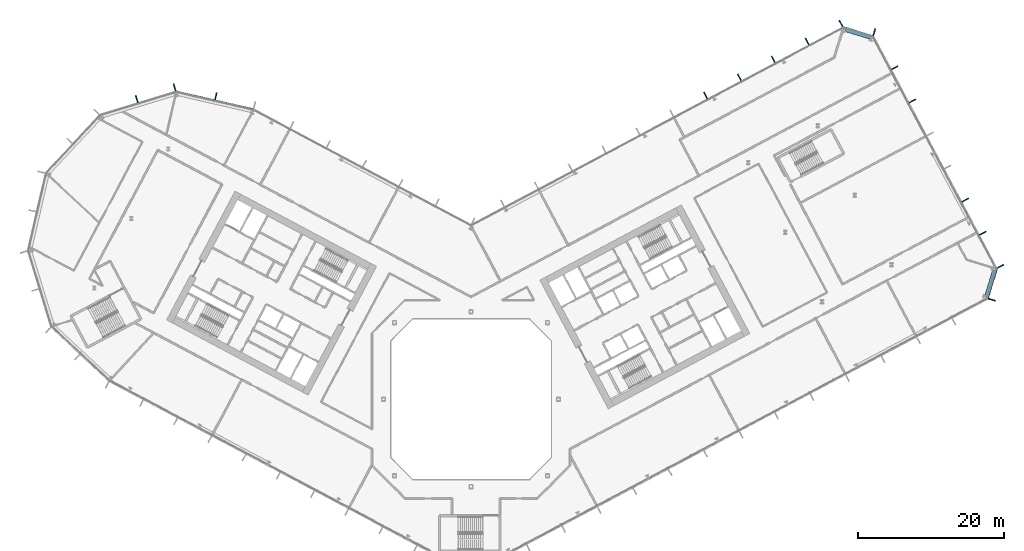
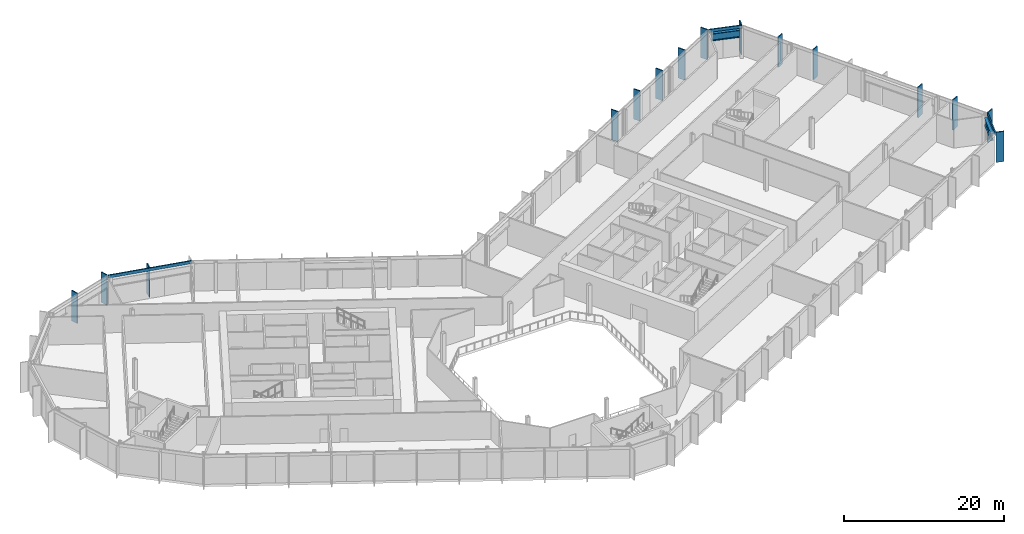
# One storey, part 9 of 32: 18 members, 2 beams, 6 elements without a shape of their own.
"""IFC4 building model written with IfcOpenShell, lengths in metres."""

from ifc_helpers import new_model, si_unit, direction, frame, origin, origin_2d, place, context, subcontext, project, spatial, rectangle, i_section, extrude, material, layer, layer_set, material_profile, profile_set, type_object, element, aggregate, save


model = new_model("IFC4")

# Units and contexts
model_context = context("Model", 3, precision=1e-05, world=origin(), true_north=direction((0.0, 1.0)))
body_context = subcontext(model_context, "Body", "Model", "MODEL_VIEW")
ifc_project = project(units=[si_unit("LENGTHUNIT", "METRE"), si_unit("AREAUNIT", "SQUARE_METRE"), si_unit("VOLUMEUNIT", "CUBIC_METRE"), si_unit("PLANEANGLEUNIT", "RADIAN"), si_unit("MASSUNIT", "GRAM", prefix="KILO")], contexts=[model_context])

# Site, building, storey
site_placement = place(None, origin())
site = spatial("IfcSite", under=ifc_project, at=site_placement, CompositionType="ELEMENT")
building_placement = place(site_placement, origin())
building = spatial("IfcBuilding", under=site, at=building_placement, Name="Cormorant Relay Tower", CompositionType="ELEMENT")
storey_placement = place(building_placement, frame((0.0, 0.0, 75.39990234375)))
storey = spatial("IfcBuildingStorey", under=building, at=storey_placement, Name="L14", CompositionType="ELEMENT", Elevation=75.39990234375)

# Curtain wall, member
ifc_material_1 = material(Name="Aluminium 6063-T6 anodised bronze", Category="aluminium")
ifc_layer = layer(ifc_material_1, 0.199951171875)
ifc_layer_set = layer_set([ifc_layer], Name="CW1 unitised bronze curtain wall with vertical fins")
curtain_wall_type = type_object("IfcCurtainWallType", Name="CW1 unitised bronze curtain wall with vertical fins", PredefinedType="NOTDEFINED", material=ifc_layer_set)
curtain_wall_1_placement = place(storey_placement, origin())
curtain_wall_1 = element("IfcCurtainWall", 1, at=curtain_wall_1_placement, inside=storey, type_object=curtain_wall_type, Name="CW1 curtain wall 3", PredefinedType="NOTDEFINED")
ifc_material_2 = material(Name="Aluminium 6063-T6 anodised bronze", Category="aluminium")
ifc_material_profile_1 = material_profile(ifc_material_2, rectangle(XDim=0.14990234375, YDim=1.0, at=origin_2d()), Name="AL 150x1000")
ifc_profile_set_1 = profile_set([ifc_material_profile_1], Name="Aluminium 6063-T6 anodised bronze")
member_type_1 = type_object("IfcMemberType", Name="CW1 bronze fin mullion 150 x 1000", PredefinedType="MULLION", material=ifc_profile_set_1)
member_1_placement = place(storey_placement, frame((71.45166015625, 13.64697265625, 0.0), z_axis=(0.0, 0.0, 1.0), x_axis=(0.292371704723, 0.956304755963, 0.0)))
member_1 = element("IfcMember", 2, at=member_1_placement, type_object=member_type_1, Name="CW1 fin 3.1", PredefinedType="MULLION", context=body_context, shape_type="SweptSolid", body=[
    extrude(rectangle(XDim=0.14990234375, YDim=1.0, at=origin_2d()), origin(), (0.0, 0.0, 1.0), 4.60009765625),
])

# Curtain wall, members
curtain_wall_2_placement = place(storey_placement, origin())
curtain_wall_2 = element("IfcCurtainWall", 3, at=curtain_wall_2_placement, inside=storey, type_object=curtain_wall_type, Name="CW1 curtain wall 4", PredefinedType="NOTDEFINED")
member_2_placement = place(storey_placement, frame((72.640869140625, 18.237548828125, 0.0), z_axis=(0.0, 0.0, 1.0), x_axis=(-0.469471562786, 0.882947592859, 0.0)))
member_2 = element("IfcMember", 4, at=member_2_placement, type_object=member_type_1, Name="CW1 fin 4.1", PredefinedType="MULLION", context=body_context, shape_type="SweptSolid", body=[
    extrude(rectangle(XDim=0.14990234375, YDim=1.0, at=origin_2d()), origin(), (0.0, 0.0, 1.0), 4.60009765625),
])
member_3_placement = place(storey_placement, frame((70.226318359375, 22.7783203125, 0.0), z_axis=(0.0, 0.0, 1.0), x_axis=(-0.469471562786, 0.882947592859, 0.0)))
member_3 = element("IfcMember", 5, at=member_3_placement, type_object=member_type_1, Name="CW1 fin 4.2", PredefinedType="MULLION", context=body_context, shape_type="SweptSolid", body=[
    extrude(rectangle(XDim=0.14990234375, YDim=1.0, at=origin_2d()), origin(), (0.0, 0.0, 1.0), 4.60009765625),
])
member_4_placement = place(storey_placement, frame((67.81201171875, 27.3193359375, 0.0), z_axis=(0.0, 0.0, 1.0), x_axis=(-0.469471562786, 0.882947592859, 0.0)))
member_4 = element("IfcMember", 6, at=member_4_placement, type_object=member_type_1, Name="CW1 fin 4.3", PredefinedType="MULLION", context=body_context, shape_type="SweptSolid", body=[
    extrude(rectangle(XDim=0.14990234375, YDim=1.0, at=origin_2d()), origin(), (0.0, 0.0, 1.0), 4.60009765625),
])
member_5_placement = place(storey_placement, frame((60.568603515625, 40.94189453125, 0.0), z_axis=(0.0, 0.0, 1.0), x_axis=(-0.469471562786, 0.882947592859, 0.0)))
member_5 = element("IfcMember", 7, at=member_5_placement, type_object=member_type_1, Name="CW1 fin 4.6", PredefinedType="MULLION", context=body_context, shape_type="SweptSolid", body=[
    extrude(rectangle(XDim=0.14990234375, YDim=1.0, at=origin_2d()), origin(), (0.0, 0.0, 1.0), 4.60009765625),
])
member_6_placement = place(storey_placement, frame((58.154296875, 45.48291015625, 0.0), z_axis=(0.0, 0.0, 1.0), x_axis=(-0.469471562786, 0.882947592859, 0.0)))
member_6 = element("IfcMember", 8, at=member_6_placement, type_object=member_type_1, Name="CW1 fin 4.7", PredefinedType="MULLION", context=body_context, shape_type="SweptSolid", body=[
    extrude(rectangle(XDim=0.14990234375, YDim=1.0, at=origin_2d()), origin(), (0.0, 0.0, 1.0), 4.60009765625),
])
aggregate(curtain_wall_2, [member_2, member_3, member_4, member_5, member_6])

# Curtain wall, member
curtain_wall_3_placement = place(storey_placement, origin())
curtain_wall_3 = element("IfcCurtainWall", 9, at=curtain_wall_3_placement, inside=storey, type_object=curtain_wall_type, Name="CW1 curtain wall 5", PredefinedType="NOTDEFINED")
member_7_placement = place(storey_placement, frame((55.326416015625, 50.364501953125, 0.0), z_axis=(0.0, 0.0, 1.0), x_axis=(-0.956304755963, 0.292371704723, 0.0)))
member_7 = element("IfcMember", 10, at=member_7_placement, type_object=member_type_1, Name="CW1 fin 5.1", PredefinedType="MULLION", context=body_context, shape_type="SweptSolid", body=[
    extrude(rectangle(XDim=0.14990234375, YDim=1.0, at=origin_2d()), origin(), (0.0, 0.0, 1.0), 4.60009765625),
])

# Curtain wall, members
curtain_wall_4_placement = place(storey_placement, origin())
curtain_wall_4 = element("IfcCurtainWall", 11, at=curtain_wall_4_placement, inside=storey, type_object=curtain_wall_type, Name="CW1 curtain wall 6", PredefinedType="NOTDEFINED")
member_8_placement = place(storey_placement, frame((50.73583984375, 51.553466796875, 0.0), z_axis=(0.0, 0.0, 1.0), x_axis=(-0.882947592859, -0.469471562786, 0.0)))
member_8 = element("IfcMember", 12, at=member_8_placement, type_object=member_type_1, Name="CW1 fin 6.1", PredefinedType="MULLION", context=body_context, shape_type="SweptSolid", body=[
    extrude(rectangle(XDim=0.14990234375, YDim=1.0, at=origin_2d()), origin(), (0.0, 0.0, 1.0), 4.60009765625),
])
member_9_placement = place(storey_placement, frame((46.093505859375, 49.085205078125, 0.0), z_axis=(0.0, 0.0, 1.0), x_axis=(-0.882947592859, -0.469471562786, 0.0)))
member_9 = element("IfcMember", 13, at=member_9_placement, type_object=member_type_1, Name="CW1 fin 6.2", PredefinedType="MULLION", context=body_context, shape_type="SweptSolid", body=[
    extrude(rectangle(XDim=0.14990234375, YDim=1.0, at=origin_2d()), origin(), (0.0, 0.0, 1.0), 4.60009765625),
])
member_10_placement = place(storey_placement, frame((41.451416015625, 46.616943359375, 0.0), z_axis=(0.0, 0.0, 1.0), x_axis=(-0.882947592859, -0.469471562786, 0.0)))
member_10 = element("IfcMember", 14, at=member_10_placement, type_object=member_type_1, Name="CW1 fin 6.3", PredefinedType="MULLION", context=body_context, shape_type="SweptSolid", body=[
    extrude(rectangle(XDim=0.14990234375, YDim=1.0, at=origin_2d()), origin(), (0.0, 0.0, 1.0), 4.60009765625),
])
member_11_placement = place(storey_placement, frame((36.80908203125, 44.148681640625, 0.0), z_axis=(0.0, 0.0, 1.0), x_axis=(-0.882947592859, -0.469471562786, 0.0)))
member_11 = element("IfcMember", 15, at=member_11_placement, type_object=member_type_1, Name="CW1 fin 6.4", PredefinedType="MULLION", context=body_context, shape_type="SweptSolid", body=[
    extrude(rectangle(XDim=0.14990234375, YDim=1.0, at=origin_2d()), origin(), (0.0, 0.0, 1.0), 4.60009765625),
])
member_12_placement = place(storey_placement, frame((32.1669921875, 41.68017578125, 0.0), z_axis=(0.0, 0.0, 1.0), x_axis=(-0.882947592859, -0.469471562786, 0.0)))
member_12 = element("IfcMember", 16, at=member_12_placement, type_object=member_type_1, Name="CW1 fin 6.5", PredefinedType="MULLION", context=body_context, shape_type="SweptSolid", body=[
    extrude(rectangle(XDim=0.14990234375, YDim=1.0, at=origin_2d()), origin(), (0.0, 0.0, 1.0), 4.60009765625),
])
aggregate(curtain_wall_4, [member_8, member_9, member_10, member_11, member_12])

# Curtain wall, member
curtain_wall_5_placement = place(storey_placement, origin())
curtain_wall_5 = element("IfcCurtainWall", 17, at=curtain_wall_5_placement, inside=storey, type_object=curtain_wall_type, Name="CW1 curtain wall 8", PredefinedType="NOTDEFINED")
member_13_placement = place(storey_placement, frame((-35.01220703125, 41.57275390625, 0.0), z_axis=(0.0, 0.0, 1.0), x_axis=(-0.974370064785, 0.224951054344, 0.0)))
member_13 = element("IfcMember", 18, at=member_13_placement, type_object=member_type_1, Name="CW1 fin 8.2", PredefinedType="MULLION", context=body_context, shape_type="SweptSolid", body=[
    extrude(rectangle(XDim=0.14990234375, YDim=1.0, at=origin_2d()), origin(), (0.0, 0.0, 1.0), 4.60009765625),
])

# Curtain wall, members
curtain_wall_6_placement = place(storey_placement, origin())
curtain_wall_6 = element("IfcCurtainWall", 19, at=curtain_wall_6_placement, inside=storey, type_object=curtain_wall_type, Name="CW1 curtain wall 9", PredefinedType="NOTDEFINED")
member_14_placement = place(storey_placement, frame((-40.670166015625, 42.78271484375, 0.0), z_axis=(0.0, 0.0, 1.0), x_axis=(-0.956304755963, -0.292371704723, 0.0)))
member_14 = element("IfcMember", 20, at=member_14_placement, type_object=member_type_1, Name="CW1 fin 9.1", PredefinedType="MULLION", context=body_context, shape_type="SweptSolid", body=[
    extrude(rectangle(XDim=0.14990234375, YDim=1.0, at=origin_2d()), origin(), (0.0, 0.0, 1.0), 4.60009765625),
])
member_15_placement = place(storey_placement, frame((-45.867919921875, 41.193603515625, 0.0), z_axis=(0.0, 0.0, 1.0), x_axis=(-0.956304755963, -0.292371704723, 0.0)))
member_15 = element("IfcMember", 21, at=member_15_placement, type_object=member_type_1, Name="CW1 fin 9.2", PredefinedType="MULLION", context=body_context, shape_type="SweptSolid", body=[
    extrude(rectangle(XDim=0.14990234375, YDim=1.0, at=origin_2d()), origin(), (0.0, 0.0, 1.0), 4.60009765625),
])
aggregate(curtain_wall_6, [member_14, member_15])

# Member
ifc_material_3 = material(Name="Aluminium 6063-T6 anodised bronze", Category="aluminium")
ifc_material_profile_2 = material_profile(ifc_material_3, rectangle(XDim=0.159912109375, YDim=0.449951171875, at=origin_2d()), Name="AL 160x450")
ifc_profile_set_2 = profile_set([ifc_material_profile_2], Name="Aluminium 6063-T6 anodised bronze")
member_type_2 = type_object("IfcMemberType", Name="CW1 bronze transom 160 x 450", PredefinedType="USERDEFINED", material=ifc_profile_set_2)
member_16_placement = place(storey_placement, frame((70.89697265625, 13.816650390625, 4.375), z_axis=(0.292391046905, 0.95629884225, 0.0), x_axis=(-0.95629884225, 0.292391046905, 0.0)))
member_16 = element("IfcMember", 22, at=member_16_placement, type_object=member_type_2, Name="CW1 transom 3", ObjectType="TRANSOM", PredefinedType="USERDEFINED", context=body_context, shape_type="SweptSolid", body=[
    extrude(rectangle(XDim=0.159912109375, YDim=0.449951171875, at=origin_2d()), origin(), (0.0, 0.0, 1.0), 4.242431640625),
])

aggregate(curtain_wall_1, [member_1, member_16])

member_17_placement = place(storey_placement, frame((55.15673828125, 49.809814453125, 4.375), z_axis=(-0.95629884225, 0.292391046905, 0.0), x_axis=(-0.292391046905, -0.95629884225, 0.0)))
member_17 = element("IfcMember", 23, at=member_17_placement, type_object=member_type_2, Name="CW1 transom 5", ObjectType="TRANSOM", PredefinedType="USERDEFINED", context=body_context, shape_type="SweptSolid", body=[
    extrude(rectangle(XDim=0.159912109375, YDim=0.449951171875, at=origin_2d()), origin(), (0.0, 0.0, 1.0), 4.242431640625),
])

aggregate(curtain_wall_3, [member_7, member_17])

member_18_placement = place(storey_placement, frame((-29.8466796875, 39.784912109375, 4.375), z_axis=(-0.974365070969, 0.224972683844, 0.0), x_axis=(-0.224972683844, -0.974365070969, 0.0)))
member_18 = element("IfcMember", 24, at=member_18_placement, type_object=member_type_2, Name="CW1 transom 8", ObjectType="TRANSOM", PredefinedType="USERDEFINED", context=body_context, shape_type="SweptSolid", body=[
    extrude(rectangle(XDim=0.159912109375, YDim=0.449951171875, at=origin_2d()), origin(), (0.0, 0.0, 1.0), 10.870361328125),
])

aggregate(curtain_wall_5, [member_13, member_18])

# Beams
ifc_material_4 = material(Name="Steel ASTM A992 (Fy 345 MPa)", Category="steel")
ifc_material_profile_3 = material_profile(ifc_material_4, i_section(OverallWidth=0.40380859375, OverallDepth=1.11767578125, WebThickness=0.026123046875, FlangeThickness=0.044921875, FilletRadius=0.02001953125, at=origin_2d()), Name="W1100x499")
ifc_profile_set_3 = profile_set([ifc_material_profile_3], Name="Steel ASTM A992 (Fy 345 MPa)")
beam_type = type_object("IfcBeamType", Name="Spandrel W1100x499", PredefinedType="SPANDREL", material=ifc_profile_set_3)
for number, where, z_axis, x_axis, name in (
    (25, (70.6943359375, 14.255126953125, 3.641357421875), (0.292423449705, 0.956288934403, 0.0), (-0.956288934403, 0.292423449705, 0.0), "Spandrel beam L14-003"),
    (26, (54.718017578125, 49.607421875, 3.641357421875), (-0.956308047674, 0.292360937806, 0.0), (-0.292360937806, -0.956308047674, 0.0), "Spandrel beam L14-005"),
):
    element("IfcBeam", number, at=place(storey_placement, frame(where, z_axis=z_axis, x_axis=x_axis)), inside=storey, type_object=beam_type, Name=name, PredefinedType="SPANDREL", context=body_context, shape_type="SweptSolid", body=[
        extrude(i_section(OverallWidth=0.40380859375, OverallDepth=1.11767578125, WebThickness=0.026123046875, FlangeThickness=0.044921875, FilletRadius=0.02001953125, at=origin_2d()), origin(), (0.0, 0.0, 1.0), 3.571533203125),
    ])

save(model, "model.ifc")
